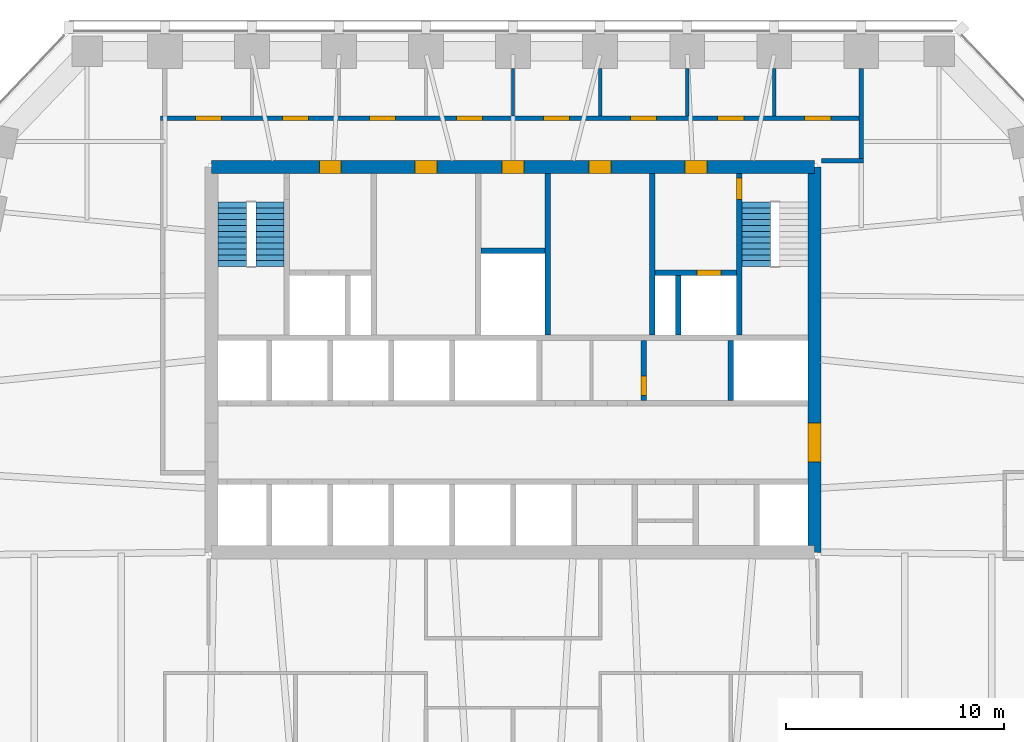
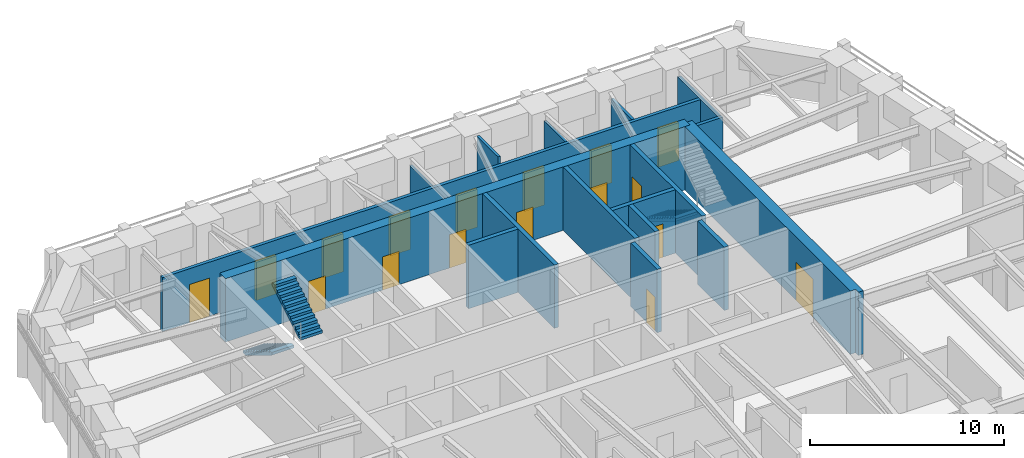
# One storey, part 7 of 10: 17 doors, 17 walls, 3 stair flights, 17 openings, 2 elements without a shape of their own.
"""IFC4 building model written with IfcOpenShell, lengths in metres."""

from ifc_helpers import new_model, si_unit, direction, frame, frame_2d, origin, place, context, subcontext, project, spatial, polyline, rectangle, outline, extrude, material, layer, layer_set, type_object, element, fill, aggregate, save


model = new_model("IFC4")

# Units and contexts
model_context = context("Model", 3, precision=1e-05, world=origin(), true_north=direction((0.0, 1.0)))
body_context = subcontext(model_context, "Body", "Model", "MODEL_VIEW")
ifc_project = project(units=[si_unit("LENGTHUNIT", "METRE"), si_unit("AREAUNIT", "SQUARE_METRE"), si_unit("VOLUMEUNIT", "CUBIC_METRE"), si_unit("PLANEANGLEUNIT", "RADIAN"), si_unit("MASSUNIT", "GRAM", prefix="KILO")], contexts=[model_context])

# Site, building, storey
site_placement = place(None, origin())
site = spatial("IfcSite", under=ifc_project, at=site_placement, CompositionType="ELEMENT")
building_placement = place(site_placement, origin())
building = spatial("IfcBuilding", under=site, at=building_placement, Name="Isbrekke Arena Tower", CompositionType="ELEMENT")
storey_placement = place(building_placement, frame((0.0, 0.0, 186.0)))
storey = spatial("IfcBuildingStorey", under=building, at=storey_placement, Name="L42", CompositionType="ELEMENT", Elevation=186.0)

# Wall, opening, door
ifc_material_1 = material(Name="Concrete B55 (C55/67)", Category="concrete")
ifc_layer_1 = layer(ifc_material_1, 0.60009765625)
ifc_layer_set_1 = layer_set([ifc_layer_1], Name="CW4 CORE WALL 600")
wall_type_1 = type_object("IfcWallType", Name="CW4 CORE WALL 600", PredefinedType="SHEAR", material=ifc_layer_set_1)
wall_1_placement = place(storey_placement, frame((13.85009765625, 6.14990234375, 0.0), z_axis=(0.0, 0.0, 1.0), x_axis=(0.0, 1.0, 0.0)))
wall_1 = element("IfcWall", 1, at=wall_1_placement, inside=storey, type_object=wall_type_1, Name="Core wall E L42", PredefinedType="SHEAR", context=body_context, shape_type="SweptSolid", body=[
    extrude(outline(polyline([(0.0, -0.300048828125), (17.7001953125, -0.300048828125), (17.7001953125, 0.0), (17.400146484375, 0.0), (17.400146484375, 0.300048828125), (0.300048828125, 0.300048828125), (0.300048828125, 0.0), (0.0, 0.0), (0.0, -0.300048828125)])), origin(), (0.0, 0.0, 1.0), 4.0),
])
opening_1_placement = place(wall_1_placement, frame((4.14990234375, 0.0, 0.0)))
opening_1 = element("IfcOpeningElement", 2, at=opening_1_placement, cuts=wall_1, Name="Opening D1", PredefinedType="OPENING", context=body_context, shape_type="SweptSolid", body=[
    extrude(rectangle(XDim=1.800048828125, YDim=2.39990234375, at=frame_2d((0.89990234375, 1.199951171875))), frame((0.0, 0.31494140625, 0.0), z_axis=(0.0, -1.0, 0.0), x_axis=(1.0, 0.0, 0.0)), (0.0, 0.0, 1.0), 0.6298828125),
])
ifc_material_2 = material(Name="Steel-framed glazed fire door", Category="steel")
door_type_1 = type_object("IfcDoorType", Name="D1 CORE LOBBY DOOR 1800 x 2400", OperationType="DOUBLE_DOOR_SINGLE_SWING", PredefinedType="DOOR", material=ifc_material_2)
door_1_placement = place(opening_1_placement, origin())
door_1 = element("IfcDoor", 3, at=door_1_placement, inside=storey, type_object=door_type_1, Name="D1 lift lobby door east L42", OperationType="DOUBLE_DOOR_SINGLE_SWING", OverallHeight=2.39990234375, OverallWidth=1.800048828125, PredefinedType="DOOR", context=body_context, shape_type="SweptSolid", body=[
    extrude(rectangle(XDim=1.800048828125, YDim=2.39990234375, at=frame_2d((0.89990234375, 1.199951171875))), frame((0.0, 0.2998046875, 0.0), z_axis=(0.0, -1.0, 0.0), x_axis=(1.0, 0.0, 0.0)), (0.0, 0.0, 1.0), 0.599609375),
])
fill(opening_1, door_1)

# Wall, openings, doors
wall_2_placement = place(storey_placement, frame((13.85009765625, 23.85009765625, 0.0), z_axis=(0.0, 0.0, 1.0), x_axis=(-1.0, 0.0, 0.0)))
wall_2 = element("IfcWall", 4, at=wall_2_placement, inside=storey, type_object=wall_type_1, Name="Core wall N L42", PredefinedType="SHEAR", context=body_context, shape_type="SweptSolid", body=[
    extrude(rectangle(XDim=27.7001953125, YDim=0.60009765625, at=frame_2d((13.85009765625, 0.0))), origin(), (0.0, 0.0, 1.0), 4.0),
])
opening_2_placement = place(wall_2_placement, frame((21.75, 0.0, 0.0)))
opening_2 = element("IfcOpeningElement", 5, at=opening_2_placement, cuts=wall_2, Name="Opening D3", PredefinedType="OPENING", context=body_context, shape_type="SweptSolid", body=[
    extrude(rectangle(XDim=1.0, YDim=2.10009765625, at=frame_2d((0.5, 1.050048828125))), frame((0.0, 0.31494140625, 0.0), z_axis=(0.0, -1.0, 0.0), x_axis=(1.0, 0.0, 0.0)), (0.0, 0.0, 1.0), 0.6298828125),
])
opening_3_placement = place(wall_2_placement, frame((4.949951171875, 0.0, 0.0)))
opening_3 = element("IfcOpeningElement", 6, at=opening_3_placement, cuts=wall_2, Name="Opening D3", PredefinedType="OPENING", context=body_context, shape_type="SweptSolid", body=[
    extrude(rectangle(XDim=1.0, YDim=2.10009765625, at=frame_2d((0.5, 1.050048828125))), frame((0.0, 0.31494140625, 0.0), z_axis=(0.0, -1.0, 0.0), x_axis=(1.0, 0.0, 0.0)), (0.0, 0.0, 1.0), 0.6298828125),
])
opening_4_placement = place(wall_2_placement, frame((17.35009765625, 0.0, 0.0)))
opening_4 = element("IfcOpeningElement", 7, at=opening_4_placement, cuts=wall_2, Name="Opening D4", PredefinedType="OPENING", context=body_context, shape_type="SweptSolid", body=[
    extrude(rectangle(XDim=1.0, YDim=2.10009765625, at=frame_2d((0.5, 1.050048828125))), frame((0.0, 0.31494140625, 0.0), z_axis=(0.0, -1.0, 0.0), x_axis=(1.0, 0.0, 0.0)), (0.0, 0.0, 1.0), 0.6298828125),
])
opening_5_placement = place(wall_2_placement, frame((13.35009765625, 0.0, 0.0)))
opening_5 = element("IfcOpeningElement", 8, at=opening_5_placement, cuts=wall_2, Name="Opening D4", PredefinedType="OPENING", context=body_context, shape_type="SweptSolid", body=[
    extrude(rectangle(XDim=1.0, YDim=2.10009765625, at=frame_2d((0.5, 1.050048828125))), frame((0.0, 0.31494140625, 0.0), z_axis=(0.0, -1.0, 0.0), x_axis=(1.0, 0.0, 0.0)), (0.0, 0.0, 1.0), 0.6298828125),
])
opening_6_placement = place(wall_2_placement, frame((9.35009765625, 0.0, 0.0)))
opening_6 = element("IfcOpeningElement", 9, at=opening_6_placement, cuts=wall_2, Name="Opening D4", PredefinedType="OPENING", context=body_context, shape_type="SweptSolid", body=[
    extrude(rectangle(XDim=1.0, YDim=2.10009765625, at=frame_2d((0.5, 1.050048828125))), frame((0.0, 0.31494140625, 0.0), z_axis=(0.0, -1.0, 0.0), x_axis=(1.0, 0.0, 0.0)), (0.0, 0.0, 1.0), 0.6298828125),
])
ifc_material_3 = material(Name="Steel fire door", Category="steel")
door_type_2 = type_object("IfcDoorType", Name="D3 FIRE LOBBY DOOR 1000 x 2100", OperationType="SINGLE_SWING_RIGHT", PredefinedType="DOOR", material=ifc_material_3)
door_2_placement = place(opening_2_placement, origin())
door_2 = element("IfcDoor", 10, at=door_2_placement, inside=storey, type_object=door_type_2, Name="D3 fire-fighting lobby door L42", OperationType="SINGLE_SWING_RIGHT", OverallHeight=2.10009765625, OverallWidth=1.0, PredefinedType="DOOR", context=body_context, shape_type="SweptSolid", body=[
    extrude(rectangle(XDim=1.0, YDim=2.10009765625, at=frame_2d((0.5, 1.050048828125))), frame((0.0, 0.2998046875, 0.0), z_axis=(0.0, -1.0, 0.0), x_axis=(1.0, 0.0, 0.0)), (0.0, 0.0, 1.0), 0.599609375),
])
fill(opening_2, door_2)
door_3_placement = place(opening_3_placement, origin())
door_3 = element("IfcDoor", 11, at=door_3_placement, inside=storey, type_object=door_type_2, Name="D3 fire-fighting lobby door L42", OperationType="SINGLE_SWING_RIGHT", OverallHeight=2.10009765625, OverallWidth=1.0, PredefinedType="DOOR", context=body_context, shape_type="SweptSolid", body=[
    extrude(rectangle(XDim=1.0, YDim=2.10009765625, at=frame_2d((0.5, 1.050048828125))), frame((0.0, 0.2998046875, 0.0), z_axis=(0.0, -1.0, 0.0), x_axis=(1.0, 0.0, 0.0)), (0.0, 0.0, 1.0), 0.599609375),
])
fill(opening_3, door_3)
ifc_material_4 = material(Name="Timber door", Category="wood")
door_type_3 = type_object("IfcDoorType", Name="D4 WC DOOR 1000 x 2100", OperationType="SINGLE_SWING_LEFT", PredefinedType="DOOR", material=ifc_material_4)
door_4_placement = place(opening_4_placement, origin())
door_4 = element("IfcDoor", 12, at=door_4_placement, inside=storey, type_object=door_type_3, Name="D4 wc female door L42", OperationType="SINGLE_SWING_LEFT", OverallHeight=2.10009765625, OverallWidth=1.0, PredefinedType="DOOR", context=body_context, shape_type="SweptSolid", body=[
    extrude(rectangle(XDim=1.0, YDim=2.10009765625, at=frame_2d((0.5, 1.050048828125))), frame((0.0, 0.2998046875, 0.0), z_axis=(0.0, -1.0, 0.0), x_axis=(1.0, 0.0, 0.0)), (0.0, 0.0, 1.0), 0.599609375),
])
fill(opening_4, door_4)
door_5_placement = place(opening_5_placement, origin())
door_5 = element("IfcDoor", 13, at=door_5_placement, inside=storey, type_object=door_type_3, Name="D4 accessible wc door L42", OperationType="SINGLE_SWING_LEFT", OverallHeight=2.10009765625, OverallWidth=1.0, PredefinedType="DOOR", context=body_context, shape_type="SweptSolid", body=[
    extrude(rectangle(XDim=1.0, YDim=2.10009765625, at=frame_2d((0.5, 1.050048828125))), frame((0.0, 0.2998046875, 0.0), z_axis=(0.0, -1.0, 0.0), x_axis=(1.0, 0.0, 0.0)), (0.0, 0.0, 1.0), 0.599609375),
])
fill(opening_5, door_5)
door_6_placement = place(opening_6_placement, origin())
door_6 = element("IfcDoor", 14, at=door_6_placement, inside=storey, type_object=door_type_3, Name="D4 wc male door L42", OperationType="SINGLE_SWING_LEFT", OverallHeight=2.10009765625, OverallWidth=1.0, PredefinedType="DOOR", context=body_context, shape_type="SweptSolid", body=[
    extrude(rectangle(XDim=1.0, YDim=2.10009765625, at=frame_2d((0.5, 1.050048828125))), frame((0.0, 0.2998046875, 0.0), z_axis=(0.0, -1.0, 0.0), x_axis=(1.0, 0.0, 0.0)), (0.0, 0.0, 1.0), 0.599609375),
])
fill(opening_6, door_6)

# Wall, opening, door
ifc_material_5 = material(Name="Concrete B45 (C45/55)", Category="concrete")
ifc_layer_2 = layer(ifc_material_5, 0.25)
ifc_layer_set_2 = layer_set([ifc_layer_2], Name="CW6 SHAFT WALL 250")
wall_type_2 = type_object("IfcWallType", Name="CW6 SHAFT WALL 250", PredefinedType="SHEAR", material=ifc_layer_set_2)
wall_3_placement = place(storey_placement, frame((6.0, 13.125, 0.0), z_axis=(0.0, 0.0, 1.0), x_axis=(0.0, 1.0, 0.0)))
wall_3 = element("IfcWall", 15, at=wall_3_placement, inside=storey, type_object=wall_type_2, Name="Core wall SN06 L42", PredefinedType="SHEAR", context=body_context, shape_type="SweptSolid", body=[
    extrude(rectangle(XDim=2.75, YDim=0.25, at=frame_2d((1.375, 0.0))), origin(), (0.0, 0.0, 1.0), 4.0),
])
opening_7_placement = place(wall_3_placement, frame((0.22509765625, 0.0, 0.0)))
opening_7 = element("IfcOpeningElement", 16, at=opening_7_placement, cuts=wall_3, Name="Opening D5", PredefinedType="OPENING", context=body_context, shape_type="SweptSolid", body=[
    extrude(rectangle(XDim=0.89990234375, YDim=2.10009765625, at=frame_2d((0.449951171875, 1.050048828125))), frame((0.0, 0.139892578125, 0.0), z_axis=(0.0, -1.0, 0.0), x_axis=(1.0, 0.0, 0.0)), (0.0, 0.0, 1.0), 0.27978515625),
])
ifc_material_6 = material(Name="Steel fire door", Category="steel")
door_type_4 = type_object("IfcDoorType", Name="D5 SERVICE DOOR 900 x 2100", OperationType="SINGLE_SWING_LEFT", PredefinedType="DOOR", material=ifc_material_6)
door_7_placement = place(opening_7_placement, frame((0.89990234375, 0.0, 0.0), z_axis=(0.0, 0.0, 1.0), x_axis=(-1.0, 0.0, 0.0)))
door_7 = element("IfcDoor", 17, at=door_7_placement, inside=storey, type_object=door_type_4, Name="D5 tenant store door L42", OperationType="SINGLE_SWING_LEFT", OverallHeight=2.10009765625, OverallWidth=0.89990234375, PredefinedType="DOOR", context=body_context, shape_type="SweptSolid", body=[
    extrude(rectangle(XDim=0.89990234375, YDim=2.10009765625, at=frame_2d((0.449951171875, 1.050048828125))), frame((0.0, 0.124755859375, 0.0), z_axis=(0.0, -1.0, 0.0), x_axis=(1.0, 0.0, 0.0)), (0.0, 0.0, 1.0), 0.24951171875),
])
fill(opening_7, door_7)

# Walls
wall_4_placement = place(storey_placement, frame((10.0, 13.125, 0.0), z_axis=(0.0, 0.0, 1.0), x_axis=(0.0, 1.0, 0.0)))
element("IfcWall", 18, at=wall_4_placement, inside=storey, type_object=wall_type_2, Name="Core wall SN07 L42", PredefinedType="SHEAR", context=body_context, shape_type="SweptSolid", body=[
    extrude(rectangle(XDim=2.75, YDim=0.25, at=frame_2d((1.375, 0.0))), origin(), (0.0, 0.0, 1.0), 4.0),
])
for number, where, z_axis, x_axis, name in (
    (19, (1.60009765625, 16.125, 0.0), (0.0, 0.0, 1.0), (0.0, 1.0, 0.0), "Core wall NV04 L42"),
    (20, (6.39990234375, 16.125, 0.0), (0.0, 0.0, 1.0), (0.0, 1.0, 0.0), "Core wall NV05 L42"),
):
    element("IfcWall", number, at=place(storey_placement, frame(where, z_axis=z_axis, x_axis=x_axis)), inside=storey, type_object=wall_type_2, Name=name, PredefinedType="SHEAR", context=body_context, shape_type="SweptSolid", body=[
        extrude(rectangle(XDim=7.425048828125, YDim=0.25, at=frame_2d((3.71240234375, 0.0))), origin(), (0.0, 0.0, 1.0), 4.0),
    ])

# Wall, opening, door
wall_5_placement = place(storey_placement, frame((10.39990234375, 16.125, 0.0), z_axis=(0.0, 0.0, 1.0), x_axis=(0.0, 1.0, 0.0)))
wall_5 = element("IfcWall", 21, at=wall_5_placement, inside=storey, type_object=wall_type_2, Name="Core wall NV06 L42", PredefinedType="SHEAR", context=body_context, shape_type="SweptSolid", body=[
    extrude(rectangle(XDim=7.425048828125, YDim=0.25, at=frame_2d((3.71240234375, 0.0))), origin(), (0.0, 0.0, 1.0), 4.0),
])
opening_8_placement = place(wall_5_placement, frame((6.22509765625, 0.0, 0.0)))
opening_8 = element("IfcOpeningElement", 22, at=opening_8_placement, cuts=wall_5, Name="Opening D2", PredefinedType="OPENING", context=body_context, shape_type="SweptSolid", body=[
    extrude(rectangle(XDim=1.0, YDim=2.10009765625, at=frame_2d((0.5, 1.050048828125))), frame((0.0, 0.139892578125, 0.0), z_axis=(0.0, -1.0, 0.0), x_axis=(1.0, 0.0, 0.0)), (0.0, 0.0, 1.0), 0.27978515625),
])
ifc_material_7 = material(Name="Steel fire door", Category="steel")
door_type_5 = type_object("IfcDoorType", Name="D2 STAIR DOOR 1000 x 2100", OperationType="SINGLE_SWING_LEFT", PredefinedType="DOOR", material=ifc_material_7)
door_8_placement = place(opening_8_placement, origin())
door_8 = element("IfcDoor", 23, at=door_8_placement, inside=storey, type_object=door_type_5, Name="D2 stair door ST2 L42", OperationType="SINGLE_SWING_LEFT", OverallHeight=2.10009765625, OverallWidth=1.0, PredefinedType="DOOR", context=body_context, shape_type="SweptSolid", body=[
    extrude(rectangle(XDim=1.0, YDim=2.10009765625, at=frame_2d((0.5, 1.050048828125))), frame((0.0, 0.124755859375, 0.0), z_axis=(0.0, -1.0, 0.0), x_axis=(1.0, 0.0, 0.0)), (0.0, 0.0, 1.0), 0.24951171875),
])
fill(opening_8, door_8)

wall_6_placement = place(storey_placement, frame((6.52490234375, 19.0, 0.0), z_axis=(0.0, 0.0, 1.0), x_axis=(1.0, 0.0, 0.0)))
wall_6 = element("IfcWall", 24, at=wall_6_placement, inside=storey, type_object=wall_type_2, Name="Core wall NFE L42", PredefinedType="SHEAR", context=body_context, shape_type="SweptSolid", body=[
    extrude(rectangle(XDim=3.75, YDim=0.25, at=frame_2d((1.875, 0.0))), origin(), (0.0, 0.0, 1.0), 4.0),
])
opening_9_placement = place(wall_6_placement, frame((1.925048828125, 0.0, 0.0)))
opening_9 = element("IfcOpeningElement", 25, at=opening_9_placement, cuts=wall_6, Name="Opening LD2", PredefinedType="OPENING", context=body_context, shape_type="SweptSolid", body=[
    extrude(rectangle(XDim=1.10009765625, YDim=2.10009765625, at=frame_2d((0.550048828125, 1.050048828125))), frame((0.0, 0.139892578125, 0.0), z_axis=(0.0, -1.0, 0.0), x_axis=(1.0, 0.0, 0.0)), (0.0, 0.0, 1.0), 0.27978515625),
])
ifc_material_8 = material(Name="Stainless steel lift landing door", Category="steel")
door_type_6 = type_object("IfcDoorType", Name="LD2 FIRE-FIGHTING LIFT LANDING DOOR 1100 x 2100", OperationType="SLIDING_TO_RIGHT", PredefinedType="DOOR", material=ifc_material_8)
door_9_placement = place(opening_9_placement, origin())
door_9 = element("IfcDoor", 26, at=door_9_placement, inside=storey, type_object=door_type_6, Name="LD2 lift landing door LF L42", OperationType="SLIDING_TO_RIGHT", OverallHeight=2.10009765625, OverallWidth=1.10009765625, PredefinedType="DOOR", context=body_context, shape_type="SweptSolid", body=[
    extrude(rectangle(XDim=1.10009765625, YDim=2.10009765625, at=frame_2d((0.550048828125, 1.050048828125))), frame((0.0, 0.124755859375, 0.0), z_axis=(0.0, -1.0, 0.0), x_axis=(1.0, 0.0, 0.0)), (0.0, 0.0, 1.0), 0.24951171875),
])
fill(opening_9, door_9)

# Walls
wall_7_placement = place(storey_placement, frame((7.60009765625, 16.125, 0.0), z_axis=(0.0, 0.0, 1.0), x_axis=(0.0, 1.0, 0.0)))
element("IfcWall", 27, at=wall_7_placement, inside=storey, type_object=wall_type_2, Name="Core wall NFS2 L42", PredefinedType="SHEAR", context=body_context, shape_type="SweptSolid", body=[
    extrude(rectangle(XDim=2.75, YDim=0.25, at=frame_2d((1.375, 0.0))), origin(), (0.0, 0.0, 1.0), 4.0),
])
wall_8_placement = place(storey_placement, frame((-1.47509765625, 20.0, 0.0), z_axis=(0.0, 0.0, 1.0), x_axis=(1.0, 0.0, 0.0)))
element("IfcWall", 28, at=wall_8_placement, inside=storey, type_object=wall_type_2, Name="Core wall NWC L42", PredefinedType="SHEAR", context=body_context, shape_type="SweptSolid", body=[
    extrude(rectangle(XDim=2.9501953125, YDim=0.25, at=frame_2d((1.47509765625, 0.0))), origin(), (0.0, 0.0, 1.0), 4.0),
])
ifc_material_9 = material(Name="Gypsum board partition on steel studs", Category="steel")
ifc_layer_3 = layer(ifc_material_9, 0.14990234375)
ifc_layer_set_3 = layer_set([ifc_layer_3], Name="IW1 PARTITION 150")
wall_type_3 = type_object("IfcWallType", Name="IW1 PARTITION 150", PredefinedType="PARTITIONING", material=ifc_layer_set_3)
wall_9_placement = place(storey_placement, frame((0.0, 26.199951171875, 0.0), z_axis=(0.0, 0.0, 1.0), x_axis=(0.0, 1.0, 0.0)))
element("IfcWall", 29, at=wall_9_placement, inside=storey, type_object=wall_type_3, Name="IW1 partition 150 L42", PredefinedType="PARTITIONING", context=body_context, shape_type="SweptSolid", body=[
    extrude(rectangle(XDim=2.175048828125, YDim=0.14990234375, at=frame_2d((1.08740234375, 0.0))), origin(), (0.0, 0.0, 1.0), 3.39990234375),
])
wall_10_placement = place(storey_placement, frame((4.0, 26.199951171875, 0.0), z_axis=(0.0, 0.0, 1.0), x_axis=(0.0, 1.0, 0.0)))
element("IfcWall", 30, at=wall_10_placement, inside=storey, type_object=wall_type_3, Name="IW1 partition 150 L42", PredefinedType="PARTITIONING", context=body_context, shape_type="SweptSolid", body=[
    extrude(rectangle(XDim=2.175048828125, YDim=0.14990234375, at=frame_2d((1.08740234375, 0.0))), origin(), (0.0, 0.0, 1.0), 3.85009765625),
])
for number, where, z_axis, x_axis, name in (
    (31, (8.0, 26.199951171875, 0.0), (0.0, 0.0, 1.0), (0.0, 1.0, 0.0), "IW1 partition 150 L42"),
    (32, (12.0, 26.199951171875, 0.0), (0.0, 0.0, 1.0), (0.0, 1.0, 0.0), "IW1 partition 150 L42"),
):
    element("IfcWall", number, at=place(storey_placement, frame(where, z_axis=z_axis, x_axis=x_axis)), inside=storey, type_object=wall_type_3, Name=name, PredefinedType="PARTITIONING", context=body_context, shape_type="SweptSolid", body=[
        extrude(rectangle(XDim=2.175048828125, YDim=0.14990234375, at=frame_2d((1.08740234375, 0.0))), origin(), (0.0, 0.0, 1.0), 3.39990234375),
    ])
ifc_material_10 = material(Name="Gypsum board fire-cell wall on steel studs, two layers each side", Category="steel")
ifc_layer_4 = layer(ifc_material_10, 0.199951171875)
ifc_layer_set_4 = layer_set([ifc_layer_4], Name="IW3 FIRE-CELL WALL 200")
wall_type_4 = type_object("IfcWallType", Name="IW3 FIRE-CELL WALL 200", PredefinedType="PARTITIONING", material=ifc_layer_set_4)
wall_11_placement = place(storey_placement, frame((14.179931640625, 24.14990234375, 0.0), z_axis=(0.0, 0.0, 1.0), x_axis=(1.0, 0.0, 0.0)))
element("IfcWall", 33, at=wall_11_placement, inside=storey, type_object=wall_type_4, Name="IW3 fire-cell wall 200 L42", PredefinedType="PARTITIONING", context=body_context, shape_type="SweptSolid", body=[
    extrude(rectangle(XDim=1.920166015625, YDim=0.199951171875, at=frame_2d((0.9599609375, 0.0))), origin(), (0.0, 0.0, 1.0), 3.39990234375),
])

# Wall, openings, doors
wall_12_placement = place(storey_placement, frame((-16.199951171875, 26.10009765625, 0.0), z_axis=(0.0, 0.0, 1.0), x_axis=(1.0, 0.0, 0.0)))
wall_12 = element("IfcWall", 34, at=wall_12_placement, inside=storey, type_object=wall_type_4, Name="IW3 fire-cell wall 200 L42", PredefinedType="PARTITIONING", context=body_context, shape_type="SweptSolid", body=[
    extrude(rectangle(XDim=32.099853515625, YDim=0.199951171875, at=frame_2d((16.0498046875, 0.0))), origin(), (0.0, 0.0, 1.0), 3.39990234375),
])
opening_10_placement = place(wall_12_placement, frame((1.60009765625, 0.0, 0.0)))
opening_10 = element("IfcOpeningElement", 35, at=opening_10_placement, cuts=wall_12, Name="Opening D12", PredefinedType="OPENING", context=body_context, shape_type="SweptSolid", body=[
    extrude(rectangle(XDim=1.199951171875, YDim=2.39990234375, at=frame_2d((0.60009765625, 1.199951171875))), frame((0.0, 0.11474609375, 0.0), z_axis=(0.0, -1.0, 0.0), x_axis=(1.0, 0.0, 0.0)), (0.0, 0.0, 1.0), 0.229736328125),
])
opening_11_placement = place(wall_12_placement, frame((5.60009765625, 0.0, 0.0)))
opening_11 = element("IfcOpeningElement", 36, at=opening_11_placement, cuts=wall_12, Name="Opening D12", PredefinedType="OPENING", context=body_context, shape_type="SweptSolid", body=[
    extrude(rectangle(XDim=1.199951171875, YDim=2.39990234375, at=frame_2d((0.60009765625, 1.199951171875))), frame((0.0, 0.11474609375, 0.0), z_axis=(0.0, -1.0, 0.0), x_axis=(1.0, 0.0, 0.0)), (0.0, 0.0, 1.0), 0.229736328125),
])
opening_12_placement = place(wall_12_placement, frame((9.60009765625, 0.0, 0.0)))
opening_12 = element("IfcOpeningElement", 37, at=opening_12_placement, cuts=wall_12, Name="Opening D12", PredefinedType="OPENING", context=body_context, shape_type="SweptSolid", body=[
    extrude(rectangle(XDim=1.199951171875, YDim=2.39990234375, at=frame_2d((0.60009765625, 1.199951171875))), frame((0.0, 0.11474609375, 0.0), z_axis=(0.0, -1.0, 0.0), x_axis=(1.0, 0.0, 0.0)), (0.0, 0.0, 1.0), 0.229736328125),
])
opening_13_placement = place(wall_12_placement, frame((13.60009765625, 0.0, 0.0)))
opening_13 = element("IfcOpeningElement", 38, at=opening_13_placement, cuts=wall_12, Name="Opening D12", PredefinedType="OPENING", context=body_context, shape_type="SweptSolid", body=[
    extrude(rectangle(XDim=1.199951171875, YDim=2.39990234375, at=frame_2d((0.60009765625, 1.199951171875))), frame((0.0, 0.11474609375, 0.0), z_axis=(0.0, -1.0, 0.0), x_axis=(1.0, 0.0, 0.0)), (0.0, 0.0, 1.0), 0.229736328125),
])
opening_14_placement = place(wall_12_placement, frame((17.60009765625, 0.0, 0.0)))
opening_14 = element("IfcOpeningElement", 39, at=opening_14_placement, cuts=wall_12, Name="Opening D12", PredefinedType="OPENING", context=body_context, shape_type="SweptSolid", body=[
    extrude(rectangle(XDim=1.199951171875, YDim=2.39990234375, at=frame_2d((0.60009765625, 1.199951171875))), frame((0.0, 0.11474609375, 0.0), z_axis=(0.0, -1.0, 0.0), x_axis=(1.0, 0.0, 0.0)), (0.0, 0.0, 1.0), 0.229736328125),
])
opening_15_placement = place(wall_12_placement, frame((21.60009765625, 0.0, 0.0)))
opening_15 = element("IfcOpeningElement", 40, at=opening_15_placement, cuts=wall_12, Name="Opening D12", PredefinedType="OPENING", context=body_context, shape_type="SweptSolid", body=[
    extrude(rectangle(XDim=1.199951171875, YDim=2.39990234375, at=frame_2d((0.60009765625, 1.199951171875))), frame((0.0, 0.11474609375, 0.0), z_axis=(0.0, -1.0, 0.0), x_axis=(1.0, 0.0, 0.0)), (0.0, 0.0, 1.0), 0.229736328125),
])
opening_16_placement = place(wall_12_placement, frame((25.60009765625, 0.0, 0.0)))
opening_16 = element("IfcOpeningElement", 41, at=opening_16_placement, cuts=wall_12, Name="Opening D12", PredefinedType="OPENING", context=body_context, shape_type="SweptSolid", body=[
    extrude(rectangle(XDim=1.199951171875, YDim=2.39990234375, at=frame_2d((0.60009765625, 1.199951171875))), frame((0.0, 0.11474609375, 0.0), z_axis=(0.0, -1.0, 0.0), x_axis=(1.0, 0.0, 0.0)), (0.0, 0.0, 1.0), 0.229736328125),
])
opening_17_placement = place(wall_12_placement, frame((29.60009765625, 0.0, 0.0)))
opening_17 = element("IfcOpeningElement", 42, at=opening_17_placement, cuts=wall_12, Name="Opening D12", PredefinedType="OPENING", context=body_context, shape_type="SweptSolid", body=[
    extrude(rectangle(XDim=1.199951171875, YDim=2.39990234375, at=frame_2d((0.60009765625, 1.199951171875))), frame((0.0, 0.11474609375, 0.0), z_axis=(0.0, -1.0, 0.0), x_axis=(1.0, 0.0, 0.0)), (0.0, 0.0, 1.0), 0.229736328125),
])
ifc_material_11 = material(Name="Timber fire door with vision panel", Category="wood")
door_type_7 = type_object("IfcDoorType", Name="D12 SUITE ENTRANCE DOOR 1200 x 2400", OperationType="SINGLE_SWING_LEFT", PredefinedType="DOOR", material=ifc_material_11)
door_10_placement = place(opening_10_placement, origin())
door_10 = element("IfcDoor", 43, at=door_10_placement, inside=storey, type_object=door_type_7, Name="D12 office door L42", OperationType="SINGLE_SWING_LEFT", OverallHeight=2.39990234375, OverallWidth=1.199951171875, PredefinedType="DOOR", context=body_context, shape_type="SweptSolid", body=[
    extrude(rectangle(XDim=1.199951171875, YDim=2.39990234375, at=frame_2d((0.60009765625, 1.199951171875))), frame((0.0, 0.099609375, 0.0), z_axis=(0.0, -1.0, 0.0), x_axis=(1.0, 0.0, 0.0)), (0.0, 0.0, 1.0), 0.199462890625),
])
fill(opening_10, door_10)
door_11_placement = place(opening_11_placement, origin())
door_11 = element("IfcDoor", 44, at=door_11_placement, inside=storey, type_object=door_type_7, Name="D12 office door L42", OperationType="SINGLE_SWING_LEFT", OverallHeight=2.39990234375, OverallWidth=1.199951171875, PredefinedType="DOOR", context=body_context, shape_type="SweptSolid", body=[
    extrude(rectangle(XDim=1.199951171875, YDim=2.39990234375, at=frame_2d((0.60009765625, 1.199951171875))), frame((0.0, 0.099609375, 0.0), z_axis=(0.0, -1.0, 0.0), x_axis=(1.0, 0.0, 0.0)), (0.0, 0.0, 1.0), 0.199462890625),
])
fill(opening_11, door_11)
door_12_placement = place(opening_12_placement, origin())
door_12 = element("IfcDoor", 45, at=door_12_placement, inside=storey, type_object=door_type_7, Name="D12 office door L42", OperationType="SINGLE_SWING_LEFT", OverallHeight=2.39990234375, OverallWidth=1.199951171875, PredefinedType="DOOR", context=body_context, shape_type="SweptSolid", body=[
    extrude(rectangle(XDim=1.199951171875, YDim=2.39990234375, at=frame_2d((0.60009765625, 1.199951171875))), frame((0.0, 0.099609375, 0.0), z_axis=(0.0, -1.0, 0.0), x_axis=(1.0, 0.0, 0.0)), (0.0, 0.0, 1.0), 0.199462890625),
])
fill(opening_12, door_12)
door_13_placement = place(opening_13_placement, origin())
door_13 = element("IfcDoor", 46, at=door_13_placement, inside=storey, type_object=door_type_7, Name="D12 office door L42", OperationType="SINGLE_SWING_LEFT", OverallHeight=2.39990234375, OverallWidth=1.199951171875, PredefinedType="DOOR", context=body_context, shape_type="SweptSolid", body=[
    extrude(rectangle(XDim=1.199951171875, YDim=2.39990234375, at=frame_2d((0.60009765625, 1.199951171875))), frame((0.0, 0.099609375, 0.0), z_axis=(0.0, -1.0, 0.0), x_axis=(1.0, 0.0, 0.0)), (0.0, 0.0, 1.0), 0.199462890625),
])
fill(opening_13, door_13)
door_14_placement = place(opening_14_placement, origin())
door_14 = element("IfcDoor", 47, at=door_14_placement, inside=storey, type_object=door_type_7, Name="D12 office door L42", OperationType="SINGLE_SWING_LEFT", OverallHeight=2.39990234375, OverallWidth=1.199951171875, PredefinedType="DOOR", context=body_context, shape_type="SweptSolid", body=[
    extrude(rectangle(XDim=1.199951171875, YDim=2.39990234375, at=frame_2d((0.60009765625, 1.199951171875))), frame((0.0, 0.099609375, 0.0), z_axis=(0.0, -1.0, 0.0), x_axis=(1.0, 0.0, 0.0)), (0.0, 0.0, 1.0), 0.199462890625),
])
fill(opening_14, door_14)
door_15_placement = place(opening_15_placement, origin())
door_15 = element("IfcDoor", 48, at=door_15_placement, inside=storey, type_object=door_type_7, Name="D12 office door L42", OperationType="SINGLE_SWING_LEFT", OverallHeight=2.39990234375, OverallWidth=1.199951171875, PredefinedType="DOOR", context=body_context, shape_type="SweptSolid", body=[
    extrude(rectangle(XDim=1.199951171875, YDim=2.39990234375, at=frame_2d((0.60009765625, 1.199951171875))), frame((0.0, 0.099609375, 0.0), z_axis=(0.0, -1.0, 0.0), x_axis=(1.0, 0.0, 0.0)), (0.0, 0.0, 1.0), 0.199462890625),
])
fill(opening_15, door_15)
door_16_placement = place(opening_16_placement, origin())
door_16 = element("IfcDoor", 49, at=door_16_placement, inside=storey, type_object=door_type_7, Name="D12 office door L42", OperationType="SINGLE_SWING_LEFT", OverallHeight=2.39990234375, OverallWidth=1.199951171875, PredefinedType="DOOR", context=body_context, shape_type="SweptSolid", body=[
    extrude(rectangle(XDim=1.199951171875, YDim=2.39990234375, at=frame_2d((0.60009765625, 1.199951171875))), frame((0.0, 0.099609375, 0.0), z_axis=(0.0, -1.0, 0.0), x_axis=(1.0, 0.0, 0.0)), (0.0, 0.0, 1.0), 0.199462890625),
])
fill(opening_16, door_16)
door_17_placement = place(opening_17_placement, origin())
door_17 = element("IfcDoor", 50, at=door_17_placement, inside=storey, type_object=door_type_7, Name="D12 office door L42", OperationType="SINGLE_SWING_LEFT", OverallHeight=2.39990234375, OverallWidth=1.199951171875, PredefinedType="DOOR", context=body_context, shape_type="SweptSolid", body=[
    extrude(rectangle(XDim=1.199951171875, YDim=2.39990234375, at=frame_2d((0.60009765625, 1.199951171875))), frame((0.0, 0.099609375, 0.0), z_axis=(0.0, -1.0, 0.0), x_axis=(1.0, 0.0, 0.0)), (0.0, 0.0, 1.0), 0.199462890625),
])
fill(opening_17, door_17)

# Wall
wall_13_placement = place(storey_placement, frame((16.0, 24.25, 0.0), z_axis=(0.0, 0.0, 1.0), x_axis=(0.0, 1.0, 0.0)))
element("IfcWall", 51, at=wall_13_placement, inside=storey, type_object=wall_type_4, Name="IW3 fire-cell wall 200 L42", PredefinedType="PARTITIONING", context=body_context, shape_type="SweptSolid", body=[
    extrude(rectangle(XDim=4.125, YDim=0.199951171875, at=frame_2d((2.0625, 0.0))), origin(), (0.0, 0.0, 1.0), 3.39990234375),
])

# Stair, stair flights
ifc_material_12 = material(Name="Concrete B45 (C45/55) precast", Category="concrete")
stair_type = type_object("IfcStairType", Name="ST40 STAIR 1300 WIDE, 24 RISERS 167", PredefinedType="HALF_TURN_STAIR", material=ifc_material_12)
stair_1_placement = place(storey_placement, origin())
stair_1 = element("IfcStair", 52, at=stair_1_placement, inside=storey, type_object=stair_type, Name="ST1 stair L42", PredefinedType="HALF_TURN_STAIR")
ifc_material_13 = material(Name="Concrete B45 (C45/55) precast", Category="concrete")
stair_flight_type = type_object("IfcStairFlightType", Name="SF 1300 FLIGHT", PredefinedType="STRAIGHT", material=ifc_material_13)
stair_flight_1_placement = place(storey_placement, frame((-12.89990234375, 22.25, 0.0), z_axis=(0.0, 0.0, 1.0), x_axis=(0.0, -1.0, 0.0)))
stair_flight_1 = element("IfcStairFlight", 53, at=stair_flight_1_placement, type_object=stair_flight_type, Name="ST1 flight 1", NumberOfRisers=12, NumberOfTreads=11, PredefinedType="STRAIGHT", RiserHeight=0.166666667, TreadLength=0.27, context=body_context, shape_type="SweptSolid", body=[
    extrude(outline(polyline([(0.0, 0.0), (0.0, 0.166748046875), (0.27001953125, 0.166748046875), (0.27001953125, 0.333251953125), (0.5400390625, 0.333251953125), (0.5400390625, 0.5), (0.81005859375, 0.5), (0.81005859375, 0.666748046875), (1.080078125, 0.666748046875), (1.080078125, 0.833251953125), (1.35009765625, 0.833251953125), (1.35009765625, 1.0), (1.6201171875, 1.0), (1.6201171875, 1.166748046875), (1.889892578125, 1.166748046875), (1.889892578125, 1.333251953125), (2.159912109375, 1.333251953125), (2.159912109375, 1.5), (2.429931640625, 1.5), (2.429931640625, 1.666748046875), (2.699951171875, 1.666748046875), (2.699951171875, 1.833251953125), (2.969970703125, 1.833251953125), (2.969970703125, 2.0), (2.969970703125, 1.6572265625), (0.285400390625, 0.0), (0.0, 0.0)])), frame((0.0, 0.64990234375, 0.0), z_axis=(0.0, -1.0, 0.0), x_axis=(1.0, 0.0, 0.0)), (0.0, 0.0, 1.0), 1.300048828125),
])
stair_flight_2_placement = place(storey_placement, frame((-11.175048828125, 19.280029296875, 2.0), z_axis=(0.0, 0.0, 1.0), x_axis=(0.0, 1.0, 0.0)))
stair_flight_2 = element("IfcStairFlight", 54, at=stair_flight_2_placement, type_object=stair_flight_type, Name="ST1 flight 2", NumberOfRisers=12, NumberOfTreads=11, PredefinedType="STRAIGHT", RiserHeight=0.166666667, TreadLength=0.27, context=body_context, shape_type="SweptSolid", body=[
    extrude(outline(polyline([(0.0, 0.0), (0.0, 0.166748046875), (0.27001953125, 0.166748046875), (0.27001953125, 0.333251953125), (0.5400390625, 0.333251953125), (0.5400390625, 0.5), (0.81005859375, 0.5), (0.81005859375, 0.666748046875), (1.080078125, 0.666748046875), (1.080078125, 0.833251953125), (1.35009765625, 0.833251953125), (1.35009765625, 1.0), (1.6201171875, 1.0), (1.6201171875, 1.166748046875), (1.889892578125, 1.166748046875), (1.889892578125, 1.333251953125), (2.159912109375, 1.333251953125), (2.159912109375, 1.5), (2.429931640625, 1.5), (2.429931640625, 1.666748046875), (2.699951171875, 1.666748046875), (2.699951171875, 1.833251953125), (2.969970703125, 1.833251953125), (2.969970703125, 2.0), (2.969970703125, 1.6572265625), (0.285400390625, 0.0), (0.0, 0.0)])), frame((0.0, 0.64990234375, 0.0), z_axis=(0.0, -1.0, 0.0), x_axis=(1.0, 0.0, 0.0)), (0.0, 0.0, 1.0), 1.300048828125),
])
aggregate(stair_1, [stair_flight_1, stair_flight_2])

# Stair, stair flight
stair_2_placement = place(storey_placement, origin())
stair_2 = element("IfcStair", 55, at=stair_2_placement, inside=storey, type_object=stair_type, Name="ST2 stair L42", PredefinedType="HALF_TURN_STAIR")
stair_flight_3_placement = place(storey_placement, frame((11.175048828125, 22.25, 0.0), z_axis=(0.0, 0.0, 1.0), x_axis=(0.0, -1.0, 0.0)))
stair_flight_3 = element("IfcStairFlight", 56, at=stair_flight_3_placement, type_object=stair_flight_type, Name="ST2 flight 1", NumberOfRisers=12, NumberOfTreads=11, PredefinedType="STRAIGHT", RiserHeight=0.166666667, TreadLength=0.27, context=body_context, shape_type="SweptSolid", body=[
    extrude(outline(polyline([(0.0, 0.0), (0.0, 0.166748046875), (0.27001953125, 0.166748046875), (0.27001953125, 0.333251953125), (0.5400390625, 0.333251953125), (0.5400390625, 0.5), (0.81005859375, 0.5), (0.81005859375, 0.666748046875), (1.080078125, 0.666748046875), (1.080078125, 0.833251953125), (1.35009765625, 0.833251953125), (1.35009765625, 1.0), (1.6201171875, 1.0), (1.6201171875, 1.166748046875), (1.889892578125, 1.166748046875), (1.889892578125, 1.333251953125), (2.159912109375, 1.333251953125), (2.159912109375, 1.5), (2.429931640625, 1.5), (2.429931640625, 1.666748046875), (2.699951171875, 1.666748046875), (2.699951171875, 1.833251953125), (2.969970703125, 1.833251953125), (2.969970703125, 2.0), (2.969970703125, 1.6572265625), (0.285400390625, 0.0), (0.0, 0.0)])), frame((0.0, 0.64990234375, 0.0), z_axis=(0.0, -1.0, 0.0), x_axis=(1.0, 0.0, 0.0)), (0.0, 0.0, 1.0), 1.300048828125),
])
aggregate(stair_2, [stair_flight_3])

save(model, "model.ifc")
